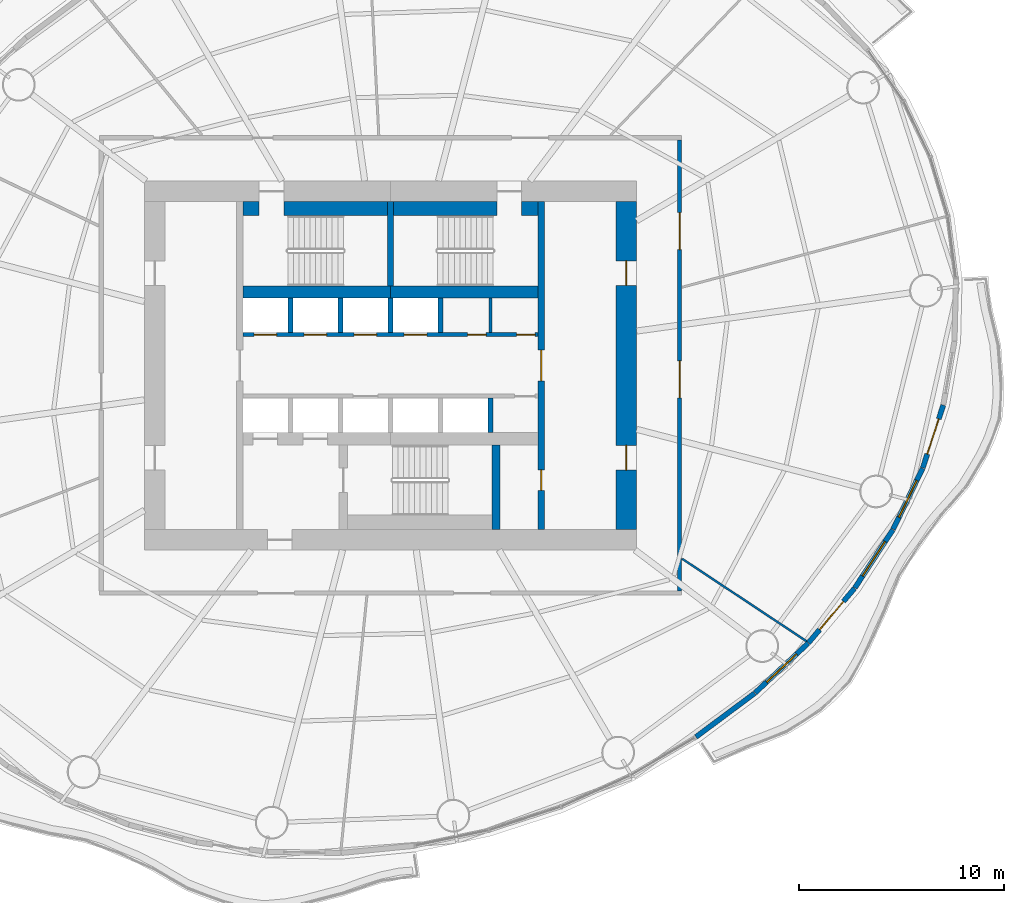
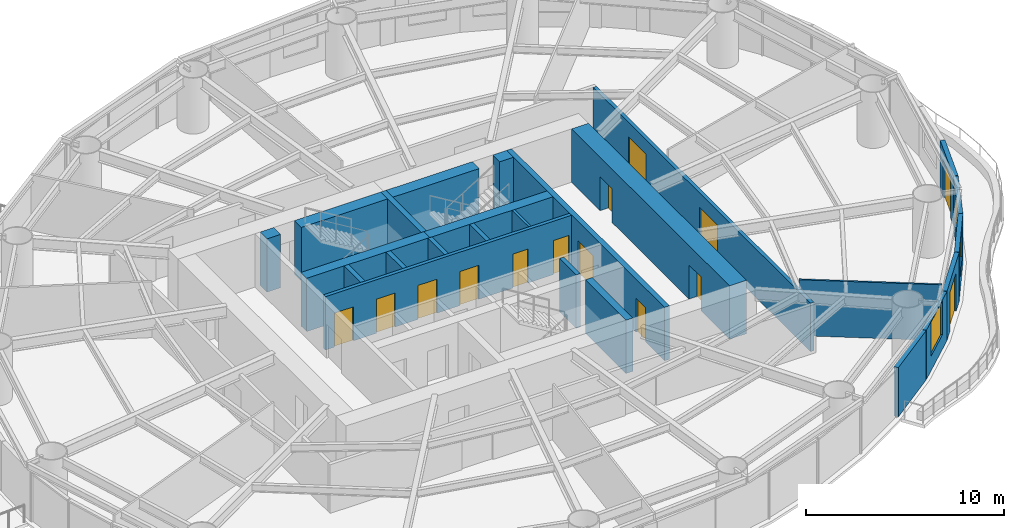
# One storey, part 9 of 14: 25 walls, 14 doors, 3 windows, 17 openings.
"""IFC4 building model written with IfcOpenShell, lengths in metres."""

from ifc_helpers import new_model, si_unit, direction, frame, frame_2d, origin, place, context, subcontext, project, spatial, rectangle, extrude, material, layer, layer_set, type_object, element, fill, save


model = new_model("IFC4")

# Units and contexts
model_context = context("Model", 3, precision=1e-05, world=origin(), true_north=direction((0.0, 1.0)))
body_context = subcontext(model_context, "Body", "Model", "MODEL_VIEW")
ifc_project = project(units=[si_unit("LENGTHUNIT", "METRE"), si_unit("AREAUNIT", "SQUARE_METRE"), si_unit("VOLUMEUNIT", "CUBIC_METRE"), si_unit("PLANEANGLEUNIT", "RADIAN"), si_unit("MASSUNIT", "GRAM", prefix="KILO")], contexts=[model_context])

# Site, building, storey
site_placement = place(None, origin())
site = spatial("IfcSite", under=ifc_project, at=site_placement, CompositionType="ELEMENT")
building_placement = place(site_placement, origin())
building = spatial("IfcBuilding", under=site, at=building_placement, Name="Vermilion Reach Broadcast Tower", CompositionType="ELEMENT")
storey_placement = place(building_placement, frame((0.0, 0.0, 117.39990234375)))
storey = spatial("IfcBuildingStorey", under=building, at=storey_placement, Name="L27", CompositionType="ELEMENT", Elevation=117.39990234375)

# Wall, openings, doors
ifc_material_1 = material(Name="Concrete C70", Category="concrete")
ifc_layer_1 = layer(ifc_material_1, 0.300048828125)
ifc_layer_set_1 = layer_set([ifc_layer_1], Name="Core inner wall 300 mm Concrete C70")
wall_type_1 = type_object("IfcWallType", Name="Core inner wall 300 mm Concrete C70", PredefinedType="SHEAR", material=ifc_layer_set_1)
wall_1_placement = place(storey_placement, frame((1.35009765625, -8.0, 0.0), z_axis=(0.0, 0.0, 1.0), x_axis=(0.0, 1.0, 0.0)))
wall_1 = element("IfcWall", 1, at=wall_1_placement, inside=storey, type_object=wall_type_1, Name="L27 core wall ewE", PredefinedType="SHEAR", context=body_context, shape_type="SweptSolid", body=[
    extrude(rectangle(XDim=16.0, YDim=0.300048828125, at=frame_2d((8.0, 0.0))), origin(), (0.0, 0.0, 1.0), 3.300048828125),
])
opening_1_placement = place(wall_1_placement, frame((1.909912109375, 0.0, 0.0)))
opening_1 = element("IfcOpeningElement", 2, at=opening_1_placement, cuts=wall_1, Name="Opening D05", PredefinedType="OPENING", context=body_context, shape_type="SweptSolid", body=[
    extrude(rectangle(XDim=1.0, YDim=2.10009765625, at=frame_2d((0.5, 1.050048828125))), frame((0.0, 0.159912109375, 0.0), z_axis=(0.0, -1.0, 0.0), x_axis=(1.0, 0.0, 0.0)), (0.0, 0.0, 1.0), 0.320068359375),
])
opening_2_placement = place(wall_1_placement, frame((7.25, 0.0, 0.0)))
opening_2 = element("IfcOpeningElement", 3, at=opening_2_placement, cuts=wall_1, Name="Opening D04", PredefinedType="OPENING", context=body_context, shape_type="SweptSolid", body=[
    extrude(rectangle(XDim=1.5, YDim=2.10009765625, at=frame_2d((0.75, 1.050048828125))), frame((0.0, 0.159912109375, 0.0), z_axis=(0.0, -1.0, 0.0), x_axis=(1.0, 0.0, 0.0)), (0.0, 0.0, 1.0), 0.320068359375),
])
ifc_material_2 = material(Name="Painted steel fire door", Category="steel")
door_type_1 = type_object("IfcDoorType", Name="Lift lobby door 1500 x 2100", OperationType="DOUBLE_DOOR_SINGLE_SWING", PredefinedType="NOTDEFINED", material=ifc_material_2)
door_1_placement = place(opening_2_placement, origin())
door_1 = element("IfcDoor", 4, at=door_1_placement, inside=storey, type_object=door_type_1, Name="L27 band door BE", OperationType="DOUBLE_DOOR_SINGLE_SWING", OverallHeight=2.10009765625, OverallWidth=1.5, PredefinedType="NOTDEFINED", context=body_context, shape_type="SweptSolid", body=[
    extrude(rectangle(XDim=1.5, YDim=2.10009765625, at=frame_2d((0.75, 1.050048828125))), frame((0.0, 0.02490234375, 0.0), z_axis=(0.0, -1.0, 0.0), x_axis=(1.0, 0.0, 0.0)), (0.0, 0.0, 1.0), 0.050048828125),
])
fill(opening_2, door_1)
ifc_material_3 = material(Name="Timber door", Category="wood")
door_type_2 = type_object("IfcDoorType", Name="Room door 1000 x 2100", OperationType="NOTDEFINED", PredefinedType="NOTDEFINED", material=ifc_material_3)
door_2_placement = place(opening_1_placement, origin())
door_2 = element("IfcDoor", 5, at=door_2_placement, inside=storey, type_object=door_type_2, Name="L27 door SER", OperationType="SINGLE_SWING_LEFT", OverallHeight=2.10009765625, OverallWidth=1.0, PredefinedType="NOTDEFINED", context=body_context, shape_type="SweptSolid", body=[
    extrude(rectangle(XDim=1.0, YDim=2.10009765625, at=frame_2d((0.5, 1.050048828125))), frame((0.0, 0.02490234375, 0.0), z_axis=(0.0, -1.0, 0.0), x_axis=(1.0, 0.0, 0.0)), (0.0, 0.0, 1.0), 0.050048828125),
])
fill(opening_1, door_2)

# Walls
wall_2_placement = place(storey_placement, frame((-6.0, 3.8798828125, 0.0), z_axis=(0.0, 0.0, 1.0), x_axis=(0.0, 1.0, 0.0)))
element("IfcWall", 6, at=wall_2_placement, inside=storey, type_object=wall_type_1, Name="L27 core wall wc", PredefinedType="SHEAR", context=body_context, shape_type="SweptSolid", body=[
    extrude(rectangle(XDim=4.1201171875, YDim=0.300048828125, at=frame_2d((2.06005859375, 0.0))), origin(), (0.0, 0.0, 1.0), 3.300048828125),
])
ifc_material_4 = material(Name="Concrete C70", Category="concrete")
ifc_layer_2 = layer(ifc_material_4, 0.39990234375)
ifc_layer_set_2 = layer_set([ifc_layer_2], Name="Core inner wall 400 mm Concrete C70")
wall_type_2 = type_object("IfcWallType", Name="Core inner wall 400 mm Concrete C70", PredefinedType="SHEAR", material=ifc_layer_set_2)
wall_3_placement = place(storey_placement, frame((-0.85009765625, -3.8798828125, 0.0), z_axis=(0.0, 0.0, 1.0), x_axis=(0.0, -1.0, 0.0)))
element("IfcWall", 7, at=wall_3_placement, inside=storey, type_object=wall_type_2, Name="L27 core wall wb", PredefinedType="SHEAR", context=body_context, shape_type="SweptSolid", body=[
    extrude(rectangle(XDim=4.1201171875, YDim=0.39990234375, at=frame_2d((2.06005859375, 0.0))), origin(), (0.0, 0.0, 1.0), 3.300048828125),
])
ifc_material_5 = material(Name="Concrete C70", Category="concrete")
ifc_layer_3 = layer(ifc_material_5, 0.60009765625)
ifc_layer_set_3 = layer_set([ifc_layer_3], Name="Core inner wall 600 mm Concrete C70")
wall_type_3 = type_object("IfcWallType", Name="Core inner wall 600 mm Concrete C70", PredefinedType="SHEAR", material=ifc_layer_set_3)
for number, where, z_axis, x_axis, name in (
    (8, (-13.199951171875, 3.580078125, 0.0), (0.0, 0.0, 1.0), (1.0, 0.0, 0.0), "L27 core wall winW"),
    (9, (-6.0, 3.580078125, 0.0), (0.0, 0.0, 1.0), (1.0, 0.0, 0.0), "L27 core wall winE"),
):
    element("IfcWall", number, at=place(storey_placement, frame(where, z_axis=z_axis, x_axis=x_axis)), inside=storey, type_object=wall_type_3, Name=name, PredefinedType="SHEAR", context=body_context, shape_type="SweptSolid", body=[
        extrude(rectangle(XDim=7.199951171875, YDim=0.60009765625, at=frame_2d((3.60009765625, 0.0))), origin(), (0.0, 0.0, 1.0), 3.300048828125),
    ])

# Wall, openings, doors
ifc_material_6 = material(Name="Concrete C70", Category="concrete")
ifc_layer_4 = layer(ifc_material_6, 1.0)
ifc_layer_set_4 = layer_set([ifc_layer_4], Name="Core outer wall 1000 mm Concrete C70")
wall_type_4 = type_object("IfcWallType", Name="Core outer wall 1000 mm Concrete C70", PredefinedType="SHEAR", material=ifc_layer_set_4)
wall_4_placement = place(storey_placement, frame((5.5, -8.0, 0.0), z_axis=(0.0, 0.0, 1.0), x_axis=(0.0, 1.0, 0.0)))
wall_4 = element("IfcWall", 10, at=wall_4_placement, inside=storey, type_object=wall_type_4, Name="L27 core wall oe", PredefinedType="SHEAR", context=body_context, shape_type="SweptSolid", body=[
    extrude(rectangle(XDim=16.0, YDim=1.0, at=frame_2d((8.0, 0.0))), origin(), (0.0, 0.0, 1.0), 3.300048828125),
])
opening_3_placement = place(wall_4_placement, frame((2.89990234375, 0.0, 0.0)))
opening_3 = element("IfcOpeningElement", 11, at=opening_3_placement, cuts=wall_4, Name="Opening D03", PredefinedType="OPENING", context=body_context, shape_type="SweptSolid", body=[
    extrude(rectangle(XDim=1.199951171875, YDim=2.10009765625, at=frame_2d((0.60009765625, 1.050048828125))), frame((0.0, 0.510009765625, 0.0), z_axis=(0.0, -1.0, 0.0), x_axis=(1.0, 0.0, 0.0)), (0.0, 0.0, 1.0), 1.02001953125),
])
opening_4_placement = place(wall_4_placement, frame((11.89990234375, 0.0, 0.0)))
opening_4 = element("IfcOpeningElement", 12, at=opening_4_placement, cuts=wall_4, Name="Opening D03", PredefinedType="OPENING", context=body_context, shape_type="SweptSolid", body=[
    extrude(rectangle(XDim=1.199951171875, YDim=2.10009765625, at=frame_2d((0.60009765625, 1.050048828125))), frame((0.0, 0.510009765625, 0.0), z_axis=(0.0, -1.0, 0.0), x_axis=(1.0, 0.0, 0.0)), (0.0, 0.0, 1.0), 1.02001953125),
])
ifc_material_7 = material(Name="Painted steel fire door", Category="steel")
door_type_3 = type_object("IfcDoorType", Name="Core lobby door 1200 x 2100", OperationType="DOUBLE_DOOR_SINGLE_SWING", PredefinedType="NOTDEFINED", material=ifc_material_7)
door_3_placement = place(opening_3_placement, origin())
door_3 = element("IfcDoor", 13, at=door_3_placement, inside=storey, type_object=door_type_3, Name="L27 slot door E0", OperationType="DOUBLE_DOOR_SINGLE_SWING", OverallHeight=2.10009765625, OverallWidth=1.199951171875, PredefinedType="NOTDEFINED", context=body_context, shape_type="SweptSolid", body=[
    extrude(rectangle(XDim=1.199951171875, YDim=2.10009765625, at=frame_2d((0.60009765625, 1.050048828125))), frame((0.0, 0.02490234375, 0.0), z_axis=(0.0, -1.0, 0.0), x_axis=(1.0, 0.0, 0.0)), (0.0, 0.0, 1.0), 0.050048828125),
])
fill(opening_3, door_3)
door_4_placement = place(opening_4_placement, origin())
door_4 = element("IfcDoor", 14, at=door_4_placement, inside=storey, type_object=door_type_3, Name="L27 slot door E1", OperationType="DOUBLE_DOOR_SINGLE_SWING", OverallHeight=2.10009765625, OverallWidth=1.199951171875, PredefinedType="NOTDEFINED", context=body_context, shape_type="SweptSolid", body=[
    extrude(rectangle(XDim=1.199951171875, YDim=2.10009765625, at=frame_2d((0.60009765625, 1.050048828125))), frame((0.0, 0.02490234375, 0.0), z_axis=(0.0, -1.0, 0.0), x_axis=(1.0, 0.0, 0.0)), (0.0, 0.0, 1.0), 0.050048828125),
])
fill(opening_4, door_4)

# Wall
ifc_material_8 = material(Name="Masonry block", Category="masonry")
ifc_layer_5 = layer(ifc_material_8, 0.14990234375)
ifc_layer_set_5 = layer_set([ifc_layer_5], Name="Core partition wall 150 mm Masonry block")
wall_type_5 = type_object("IfcWallType", Name="Core partition wall 150 mm Masonry block", PredefinedType="PARTITIONING", material=ifc_layer_set_5)
wall_5_placement = place(storey_placement, frame((-1.11669921875, 1.60009765625, 0.0), z_axis=(0.0, 0.0, 1.0), x_axis=(0.0, 1.0, 0.0)))
element("IfcWall", 15, at=wall_5_placement, inside=storey, type_object=wall_type_5, Name="L27 core wall prN4883", PredefinedType="PARTITIONING", context=body_context, shape_type="SweptSolid", body=[
    extrude(rectangle(XDim=1.679931640625, YDim=0.14990234375, at=frame_2d((0.83984375, 0.0))), origin(), (0.0, 0.0, 1.0), 3.300048828125),
])

# Wall, openings, doors
ifc_material_9 = material(Name="Concrete C50", Category="concrete")
ifc_layer_6 = layer(ifc_material_9, 0.199951171875)
ifc_layer_set_6 = layer_set([ifc_layer_6], Name="Core shaft wall 200 mm Concrete C50")
wall_type_6 = type_object("IfcWallType", Name="Core shaft wall 200 mm Concrete C50", PredefinedType="SHEAR", material=ifc_layer_set_6)
wall_6_placement = place(storey_placement, frame((-13.199951171875, 1.5, 0.0), z_axis=(0.0, 0.0, 1.0), x_axis=(1.0, 0.0, 0.0)))
wall_6 = element("IfcWall", 16, at=wall_6_placement, inside=storey, type_object=wall_type_6, Name="L27 core wall fn", PredefinedType="SHEAR", context=body_context, shape_type="SweptSolid", body=[
    extrude(rectangle(XDim=14.39990234375, YDim=0.199951171875, at=frame_2d((7.199951171875, 0.0))), origin(), (0.0, 0.0, 1.0), 3.300048828125),
])
opening_5_placement = place(wall_6_placement, frame((0.5458984375, 0.0, 0.0)))
opening_5 = element("IfcOpeningElement", 17, at=opening_5_placement, cuts=wall_6, Name="Opening LD2", PredefinedType="OPENING", context=body_context, shape_type="SweptSolid", body=[
    extrude(rectangle(XDim=1.10009765625, YDim=2.10009765625, at=frame_2d((0.550048828125, 1.050048828125))), frame((0.0, 0.10986328125, 0.0), z_axis=(0.0, -1.0, 0.0), x_axis=(1.0, 0.0, 0.0)), (0.0, 0.0, 1.0), 0.219970703125),
])
opening_6_placement = place(wall_6_placement, frame((2.987548828125, 0.0, 0.0)))
opening_6 = element("IfcOpeningElement", 18, at=opening_6_placement, cuts=wall_6, Name="Opening LD2", PredefinedType="OPENING", context=body_context, shape_type="SweptSolid", body=[
    extrude(rectangle(XDim=1.10009765625, YDim=2.10009765625, at=frame_2d((0.550048828125, 1.050048828125))), frame((0.0, 0.10986328125, 0.0), z_axis=(0.0, -1.0, 0.0), x_axis=(1.0, 0.0, 0.0)), (0.0, 0.0, 1.0), 0.219970703125),
])
opening_7_placement = place(wall_6_placement, frame((5.42919921875, 0.0, 0.0)))
opening_7 = element("IfcOpeningElement", 19, at=opening_7_placement, cuts=wall_6, Name="Opening LD2", PredefinedType="OPENING", context=body_context, shape_type="SweptSolid", body=[
    extrude(rectangle(XDim=1.10009765625, YDim=2.10009765625, at=frame_2d((0.550048828125, 1.050048828125))), frame((0.0, 0.10986328125, 0.0), z_axis=(0.0, -1.0, 0.0), x_axis=(1.0, 0.0, 0.0)), (0.0, 0.0, 1.0), 0.219970703125),
])
opening_8_placement = place(wall_6_placement, frame((7.870849609375, 0.0, 0.0)))
opening_8 = element("IfcOpeningElement", 20, at=opening_8_placement, cuts=wall_6, Name="Opening LD2", PredefinedType="OPENING", context=body_context, shape_type="SweptSolid", body=[
    extrude(rectangle(XDim=1.10009765625, YDim=2.10009765625, at=frame_2d((0.550048828125, 1.050048828125))), frame((0.0, 0.10986328125, 0.0), z_axis=(0.0, -1.0, 0.0), x_axis=(1.0, 0.0, 0.0)), (0.0, 0.0, 1.0), 0.219970703125),
])
opening_9_placement = place(wall_6_placement, frame((10.958251953125, 0.0, 0.0)))
opening_9 = element("IfcOpeningElement", 21, at=opening_9_placement, cuts=wall_6, Name="Opening D06", PredefinedType="OPENING", context=body_context, shape_type="SweptSolid", body=[
    extrude(rectangle(XDim=0.89990234375, YDim=2.10009765625, at=frame_2d((0.449951171875, 1.050048828125))), frame((0.0, 0.10986328125, 0.0), z_axis=(0.0, -1.0, 0.0), x_axis=(1.0, 0.0, 0.0)), (0.0, 0.0, 1.0), 0.219970703125),
])
opening_10_placement = place(wall_6_placement, frame((13.35009765625, 0.0, 0.0)))
opening_10 = element("IfcOpeningElement", 22, at=opening_10_placement, cuts=wall_6, Name="Opening D06", PredefinedType="OPENING", context=body_context, shape_type="SweptSolid", body=[
    extrude(rectangle(XDim=0.89990234375, YDim=2.10009765625, at=frame_2d((0.449951171875, 1.050048828125))), frame((0.0, 0.10986328125, 0.0), z_axis=(0.0, -1.0, 0.0), x_axis=(1.0, 0.0, 0.0)), (0.0, 0.0, 1.0), 0.219970703125),
])
ifc_material_10 = material(Name="Stainless steel", Category="steel")
door_type_4 = type_object("IfcDoorType", Name="Landing door 1100 x 2100", OperationType="DOUBLE_DOOR_SLIDING", PredefinedType="NOTDEFINED", material=ifc_material_10)
door_5_placement = place(opening_5_placement, origin())
door_5 = element("IfcDoor", 23, at=door_5_placement, inside=storey, type_object=door_type_4, Name="L27 landing door LR1", OperationType="DOUBLE_DOOR_SLIDING", OverallHeight=2.10009765625, OverallWidth=1.10009765625, PredefinedType="NOTDEFINED", context=body_context, shape_type="SweptSolid", body=[
    extrude(rectangle(XDim=1.10009765625, YDim=2.10009765625, at=frame_2d((0.550048828125, 1.050048828125))), frame((0.0, 0.02490234375, 0.0), z_axis=(0.0, -1.0, 0.0), x_axis=(1.0, 0.0, 0.0)), (0.0, 0.0, 1.0), 0.050048828125),
])
fill(opening_5, door_5)
door_6_placement = place(opening_6_placement, origin())
door_6 = element("IfcDoor", 24, at=door_6_placement, inside=storey, type_object=door_type_4, Name="L27 landing door LR2", OperationType="DOUBLE_DOOR_SLIDING", OverallHeight=2.10009765625, OverallWidth=1.10009765625, PredefinedType="NOTDEFINED", context=body_context, shape_type="SweptSolid", body=[
    extrude(rectangle(XDim=1.10009765625, YDim=2.10009765625, at=frame_2d((0.550048828125, 1.050048828125))), frame((0.0, 0.02490234375, 0.0), z_axis=(0.0, -1.0, 0.0), x_axis=(1.0, 0.0, 0.0)), (0.0, 0.0, 1.0), 0.050048828125),
])
fill(opening_6, door_6)
door_7_placement = place(opening_7_placement, origin())
door_7 = element("IfcDoor", 25, at=door_7_placement, inside=storey, type_object=door_type_4, Name="L27 landing door LR3", OperationType="DOUBLE_DOOR_SLIDING", OverallHeight=2.10009765625, OverallWidth=1.10009765625, PredefinedType="NOTDEFINED", context=body_context, shape_type="SweptSolid", body=[
    extrude(rectangle(XDim=1.10009765625, YDim=2.10009765625, at=frame_2d((0.550048828125, 1.050048828125))), frame((0.0, 0.02490234375, 0.0), z_axis=(0.0, -1.0, 0.0), x_axis=(1.0, 0.0, 0.0)), (0.0, 0.0, 1.0), 0.050048828125),
])
fill(opening_7, door_7)
door_8_placement = place(opening_8_placement, origin())
door_8 = element("IfcDoor", 26, at=door_8_placement, inside=storey, type_object=door_type_4, Name="L27 landing door LR4", OperationType="DOUBLE_DOOR_SLIDING", OverallHeight=2.10009765625, OverallWidth=1.10009765625, PredefinedType="NOTDEFINED", context=body_context, shape_type="SweptSolid", body=[
    extrude(rectangle(XDim=1.10009765625, YDim=2.10009765625, at=frame_2d((0.550048828125, 1.050048828125))), frame((0.0, 0.02490234375, 0.0), z_axis=(0.0, -1.0, 0.0), x_axis=(1.0, 0.0, 0.0)), (0.0, 0.0, 1.0), 0.050048828125),
])
fill(opening_8, door_8)
ifc_material_11 = material(Name="Timber door", Category="wood")
door_type_5 = type_object("IfcDoorType", Name="WC door 900 x 2100", OperationType="NOTDEFINED", PredefinedType="NOTDEFINED", material=ifc_material_11)
door_9_placement = place(opening_9_placement, origin())
door_9 = element("IfcDoor", 27, at=door_9_placement, inside=storey, type_object=door_type_5, Name="L27 door Female WC", OperationType="SINGLE_SWING_RIGHT", OverallHeight=2.10009765625, OverallWidth=0.89990234375, PredefinedType="NOTDEFINED", context=body_context, shape_type="SweptSolid", body=[
    extrude(rectangle(XDim=0.89990234375, YDim=2.10009765625, at=frame_2d((0.449951171875, 1.050048828125))), frame((0.0, 0.02490234375, 0.0), z_axis=(0.0, -1.0, 0.0), x_axis=(1.0, 0.0, 0.0)), (0.0, 0.0, 1.0), 0.050048828125),
])
fill(opening_9, door_9)
door_10_placement = place(opening_10_placement, origin())
door_10 = element("IfcDoor", 28, at=door_10_placement, inside=storey, type_object=door_type_5, Name="L27 door Male WC", OperationType="SINGLE_SWING_RIGHT", OverallHeight=2.10009765625, OverallWidth=0.89990234375, PredefinedType="NOTDEFINED", context=body_context, shape_type="SweptSolid", body=[
    extrude(rectangle(XDim=0.89990234375, YDim=2.10009765625, at=frame_2d((0.449951171875, 1.050048828125))), frame((0.0, 0.02490234375, 0.0), z_axis=(0.0, -1.0, 0.0), x_axis=(1.0, 0.0, 0.0)), (0.0, 0.0, 1.0), 0.050048828125),
])
fill(opening_10, door_10)

# Walls
ifc_material_12 = material(Name="Concrete C50", Category="concrete")
ifc_layer_7 = layer(ifc_material_12, 0.25)
ifc_layer_set_7 = layer_set([ifc_layer_7], Name="Core shaft wall 250 mm Concrete C50")
wall_type_7 = type_object("IfcWallType", Name="Core shaft wall 250 mm Concrete C50", PredefinedType="SHEAR", material=ifc_layer_set_7)
for number, where, z_axis, x_axis, name in (
    (29, (-10.88330078125, 1.60009765625, 0.0), (0.0, 0.0, 1.0), (0.0, 1.0, 0.0), "L27 core wall psN0"),
    (30, (-8.441650390625, 1.60009765625, 0.0), (0.0, 0.0, 1.0), (0.0, 1.0, 0.0), "L27 core wall psN1"),
    (31, (-6.0, 1.60009765625, 0.0), (0.0, 0.0, 1.0), (0.0, 1.0, 0.0), "L27 core wall psN2"),
    (32, (-3.558349609375, 1.60009765625, 0.0), (0.0, 0.0, 1.0), (0.0, 1.0, 0.0), "L27 core wall psN3"),
    (33, (-1.11669921875, -1.60009765625, 0.0), (0.0, 0.0, 1.0), (0.0, -1.0, 0.0), "L27 core wall psS4"),
):
    element("IfcWall", number, at=place(storey_placement, frame(where, z_axis=z_axis, x_axis=x_axis)), inside=storey, type_object=wall_type_7, Name=name, PredefinedType="SHEAR", context=body_context, shape_type="SweptSolid", body=[
        extrude(rectangle(XDim=1.679931640625, YDim=0.25, at=frame_2d((0.83984375, 0.0))), origin(), (0.0, 0.0, 1.0), 3.300048828125),
    ])
ifc_material_13 = material(Name="Concrete C70", Category="concrete")
ifc_layer_8 = layer(ifc_material_13, 0.699951171875)
ifc_layer_set_8 = layer_set([ifc_layer_8], Name="Core stair wall 700 mm Concrete C70")
wall_type_8 = type_object("IfcWallType", Name="Core stair wall 700 mm Concrete C70", PredefinedType="SHEAR", material=ifc_layer_set_8)
wall_7_placement = place(storey_placement, frame((-13.199951171875, 7.64990234375, 0.0), z_axis=(0.0, 0.0, 1.0), x_axis=(1.0, 0.0, 0.0)))
element("IfcWall", 34, at=wall_7_placement, inside=storey, type_object=wall_type_8, Name="L27 core wall l1a", PredefinedType="SHEAR", context=body_context, shape_type="SweptSolid", body=[
    extrude(rectangle(XDim=0.800048828125, YDim=0.699951171875, at=frame_2d((0.39990234375, 0.0))), origin(), (0.0, 0.0, 1.0), 3.300048828125),
])
for number, where, z_axis, x_axis, name in (
    (35, (-11.199951171875, 7.64990234375, 0.0), (0.0, 0.0, 1.0), (1.0, 0.0, 0.0), "L27 core wall l1b"),
    (36, (-5.85009765625, 7.64990234375, 0.0), (0.0, 0.0, 1.0), (1.0, 0.0, 0.0), "L27 core wall l2a"),
):
    element("IfcWall", number, at=place(storey_placement, frame(where, z_axis=z_axis, x_axis=x_axis)), inside=storey, type_object=wall_type_8, Name=name, PredefinedType="SHEAR", context=body_context, shape_type="SweptSolid", body=[
        extrude(rectangle(XDim=5.050048828125, YDim=0.699951171875, at=frame_2d((2.52490234375, 0.0))), origin(), (0.0, 0.0, 1.0), 3.300048828125),
    ])
wall_8_placement = place(storey_placement, frame((0.39990234375, 7.64990234375, 0.0), z_axis=(0.0, 0.0, 1.0), x_axis=(1.0, 0.0, 0.0)))
element("IfcWall", 37, at=wall_8_placement, inside=storey, type_object=wall_type_8, Name="L27 core wall l2b", PredefinedType="SHEAR", context=body_context, shape_type="SweptSolid", body=[
    extrude(rectangle(XDim=0.800048828125, YDim=0.699951171875, at=frame_2d((0.39990234375, 0.0))), origin(), (0.0, 0.0, 1.0), 3.300048828125),
])
ifc_material_14 = material(Name="Plasterboard on steel stud", Category="steel")
ifc_layer_9 = layer(ifc_material_14, 0.10009765625)
ifc_layer_set_9 = layer_set([ifc_layer_9], Name="Partition 100 steel stud")
wall_type_9 = type_object("IfcWallType", Name="Partition 100 steel stud", PredefinedType="PARTITIONING", material=ifc_layer_set_9)
wall_9_placement = place(storey_placement, frame((14.283447265625, -13.446533203125, 0.0), z_axis=(0.0, 0.0, 1.0), x_axis=(-0.833484611181, 0.552542670682, 0.0)))
element("IfcWall", 38, at=wall_9_placement, inside=storey, type_object=wall_type_9, Name="Partition 27.07", PredefinedType="PARTITIONING", context=body_context, shape_type="SweptSolid", body=[
    extrude(rectangle(XDim=7.265869140625, YDim=0.10009765625, at=frame_2d((3.6328125, 0.0))), origin(), (0.0, 0.0, 1.0), 3.4501953125),
])
ifc_material_15 = material(Name="Terracotta rainscreen cladding", Category="masonry")
ifc_layer_10 = layer(ifc_material_15, 0.25)
ifc_layer_set_10 = layer_set([ifc_layer_10], Name="Terracotta rainscreen wall 250")
wall_type_10 = type_object("IfcWallType", Name="Terracotta rainscreen wall 250", PredefinedType="SOLIDWALL", material=ifc_layer_set_10)
wall_10_placement = place(storey_placement, frame((8.895751953125, -18.112060546875, 0.0), z_axis=(0.0, 0.0, 1.0), x_axis=(0.802114267062, 0.597170580803, 0.0)))
element("IfcWall", 39, at=wall_10_placement, inside=storey, type_object=wall_type_10, Name="External wall L27 38", PredefinedType="SOLIDWALL", context=body_context, shape_type="SweptSolid", body=[
    extrude(rectangle(XDim=3.566650390625, YDim=0.25, at=frame_2d((1.783203125, 0.0))), origin(), (0.0, 0.0, 1.0), 3.050048828125),
])

# Wall, opening, window
wall_11_placement = place(storey_placement, frame((11.773681640625, -15.968017578125, 0.0), z_axis=(0.0, 0.0, 1.0), x_axis=(0.729895135737, 0.683559134843, 0.0)))
wall_11 = element("IfcWall", 40, at=wall_11_placement, inside=storey, type_object=wall_type_10, Name="External wall L27 39", PredefinedType="SOLIDWALL", context=body_context, shape_type="SweptSolid", body=[
    extrude(rectangle(XDim=3.55126953125, YDim=0.25, at=frame_2d((1.775634765625, 0.0))), origin(), (0.0, 0.0, 1.0), 3.050048828125),
])
opening_11_placement = place(wall_11_placement, frame((0.775634765625, 0.0, 0.89990234375)))
opening_11 = element("IfcOpeningElement", 41, at=opening_11_placement, cuts=wall_11, Name="Opening W03", PredefinedType="OPENING", context=body_context, shape_type="SweptSolid", body=[
    extrude(rectangle(XDim=2.0, YDim=2.10009765625, at=frame_2d((1.0, 1.050048828125))), frame((0.0, 0.135009765625, 0.0), z_axis=(0.0, -1.0, 0.0), x_axis=(1.0, 0.0, 0.0)), (0.0, 0.0, 1.0), 0.27001953125),
])
ifc_material_16 = material(Name="Low-e laminated clear glass in aluminium frame", Category="aluminium")
window_type = type_object("IfcWindowType", Name="Punched window 2000 x 2100 sill 900", PartitioningType="SINGLE_PANEL", PredefinedType="WINDOW", material=ifc_material_16)
window_1_placement = place(opening_11_placement, origin())
window_1 = element("IfcWindow", 42, at=window_1_placement, inside=storey, type_object=window_type, Name="Window L27 39", OverallHeight=2.10009765625, OverallWidth=2.0, PartitioningType="SINGLE_PANEL", PredefinedType="WINDOW", context=body_context, shape_type="SweptSolid", body=[
    extrude(rectangle(XDim=2.0, YDim=2.10009765625, at=frame_2d((1.0, 1.050048828125))), frame((0.0, 0.030029296875, 0.0), z_axis=(0.0, -1.0, 0.0), x_axis=(1.0, 0.0, 0.0)), (0.0, 0.0, 1.0), 0.06005859375),
])
fill(opening_11, window_1)

# Wall, opening, door
wall_12_placement = place(storey_placement, frame((14.38134765625, -13.52392578125, 0.0), z_axis=(0.0, 0.0, 1.0), x_axis=(0.645164421971, 0.764043760934, 0.0)))
wall_12 = element("IfcWall", 43, at=wall_12_placement, inside=storey, type_object=wall_type_10, Name="External wall L27 40", PredefinedType="SOLIDWALL", context=body_context, shape_type="SweptSolid", body=[
    extrude(rectangle(XDim=3.476806640625, YDim=0.25, at=frame_2d((1.73828125, 0.0))), origin(), (0.0, 0.0, 1.0), 3.050048828125),
])
opening_12_placement = place(wall_12_placement, frame((0.839111328125, 0.0, 0.0)))
opening_12 = element("IfcOpeningElement", 44, at=opening_12_placement, cuts=wall_12, Name="Opening D70", PredefinedType="OPENING", context=body_context, shape_type="SweptSolid", body=[
    extrude(rectangle(XDim=1.800048828125, YDim=2.39990234375, at=frame_2d((0.89990234375, 1.199951171875))), frame((0.0, 0.135009765625, 0.0), z_axis=(0.0, -1.0, 0.0), x_axis=(1.0, 0.0, 0.0)), (0.0, 0.0, 1.0), 0.27001953125),
])
ifc_material_17 = material(Name="Low-e laminated clear glass in aluminium frame", Category="aluminium")
door_type_6 = type_object("IfcDoorType", Name="Balcony sliding door 1800 x 2400", OperationType="DOUBLE_DOOR_SLIDING", PredefinedType="DOOR", material=ifc_material_17)
door_11_placement = place(opening_12_placement, origin())
door_11 = element("IfcDoor", 45, at=door_11_placement, inside=storey, type_object=door_type_6, Name="Balcony door L27 run 10", OperationType="DOUBLE_DOOR_SLIDING", OverallHeight=2.39990234375, OverallWidth=1.800048828125, PredefinedType="DOOR", context=body_context, shape_type="SweptSolid", body=[
    extrude(rectangle(XDim=1.800048828125, YDim=2.39990234375, at=frame_2d((0.89990234375, 1.199951171875))), frame((0.0, 0.02490234375, 0.0), z_axis=(0.0, -1.0, 0.0), x_axis=(1.0, 0.0, 0.0)), (0.0, 0.0, 1.0), 0.050048828125),
])
fill(opening_12, door_11)

# Wall, opening, window
wall_13_placement = place(storey_placement, frame((16.638427734375, -10.848876953125, 0.0), z_axis=(0.0, 0.0, 1.0), x_axis=(0.547270693195, 0.836955666908, 0.0)))
wall_13 = element("IfcWall", 46, at=wall_13_placement, inside=storey, type_object=wall_type_10, Name="External wall L27 41", PredefinedType="SOLIDWALL", context=body_context, shape_type="SweptSolid", body=[
    extrude(rectangle(XDim=3.39208984375, YDim=0.25, at=frame_2d((1.696044921875, 0.0))), origin(), (0.0, 0.0, 1.0), 3.050048828125),
])
opening_13_placement = place(wall_13_placement, frame((0.696044921875, 0.0, 0.89990234375)))
opening_13 = element("IfcOpeningElement", 47, at=opening_13_placement, cuts=wall_13, Name="Opening W03", PredefinedType="OPENING", context=body_context, shape_type="SweptSolid", body=[
    extrude(rectangle(XDim=2.0, YDim=2.10009765625, at=frame_2d((1.0, 1.050048828125))), frame((0.0, 0.135009765625, 0.0), z_axis=(0.0, -1.0, 0.0), x_axis=(1.0, 0.0, 0.0)), (0.0, 0.0, 1.0), 0.27001953125),
])
window_2_placement = place(opening_13_placement, origin())
window_2 = element("IfcWindow", 48, at=window_2_placement, inside=storey, type_object=window_type, Name="Window L27 41", OverallHeight=2.10009765625, OverallWidth=2.0, PartitioningType="SINGLE_PANEL", PredefinedType="WINDOW", context=body_context, shape_type="SweptSolid", body=[
    extrude(rectangle(XDim=2.0, YDim=2.10009765625, at=frame_2d((1.0, 1.050048828125))), frame((0.0, 0.030029296875, 0.0), z_axis=(0.0, -1.0, 0.0), x_axis=(1.0, 0.0, 0.0)), (0.0, 0.0, 1.0), 0.06005859375),
])
fill(opening_13, window_2)

wall_14_placement = place(storey_placement, frame((18.506591796875, -7.98876953125, 0.0), z_axis=(0.0, 0.0, 1.0), x_axis=(0.435582187372, 0.900148964363, 0.0)))
wall_14 = element("IfcWall", 49, at=wall_14_placement, inside=storey, type_object=wall_type_10, Name="External wall L27 42", PredefinedType="SOLIDWALL", context=body_context, shape_type="SweptSolid", body=[
    extrude(rectangle(XDim=3.3017578125, YDim=0.25, at=frame_2d((1.65087890625, 0.0))), origin(), (0.0, 0.0, 1.0), 3.050048828125),
])
opening_14_placement = place(wall_14_placement, frame((0.65087890625, 0.0, 0.89990234375)))
opening_14 = element("IfcOpeningElement", 50, at=opening_14_placement, cuts=wall_14, Name="Opening W03", PredefinedType="OPENING", context=body_context, shape_type="SweptSolid", body=[
    extrude(rectangle(XDim=2.0, YDim=2.10009765625, at=frame_2d((1.0, 1.050048828125))), frame((0.0, 0.135009765625, 0.0), z_axis=(0.0, -1.0, 0.0), x_axis=(1.0, 0.0, 0.0)), (0.0, 0.0, 1.0), 0.27001953125),
])
window_3_placement = place(opening_14_placement, origin())
window_3 = element("IfcWindow", 51, at=window_3_placement, inside=storey, type_object=window_type, Name="Window L27 42", OverallHeight=2.10009765625, OverallWidth=2.0, PartitioningType="SINGLE_PANEL", PredefinedType="WINDOW", context=body_context, shape_type="SweptSolid", body=[
    extrude(rectangle(XDim=2.0, YDim=2.10009765625, at=frame_2d((1.0, 1.050048828125))), frame((0.0, 0.030029296875, 0.0), z_axis=(0.0, -1.0, 0.0), x_axis=(1.0, 0.0, 0.0)), (0.0, 0.0, 1.0), 0.06005859375),
])
fill(opening_14, window_3)

# Wall, opening, door
wall_15_placement = place(storey_placement, frame((19.9541015625, -4.993408203125, 0.0), z_axis=(0.0, 0.0, 1.0), x_axis=(0.310270013997, 0.950648472578, 0.0)))
wall_15 = element("IfcWall", 52, at=wall_15_placement, inside=storey, type_object=wall_type_10, Name="External wall L27 43", PredefinedType="SOLIDWALL", context=body_context, shape_type="SweptSolid", body=[
    extrude(rectangle(XDim=3.2119140625, YDim=0.25, at=frame_2d((1.60595703125, 0.0))), origin(), (0.0, 0.0, 1.0), 3.050048828125),
])
opening_15_placement = place(wall_15_placement, frame((0.7060546875, 0.0, 0.0)))
opening_15 = element("IfcOpeningElement", 53, at=opening_15_placement, cuts=wall_15, Name="Opening D70", PredefinedType="OPENING", context=body_context, shape_type="SweptSolid", body=[
    extrude(rectangle(XDim=1.800048828125, YDim=2.39990234375, at=frame_2d((0.89990234375, 1.199951171875))), frame((0.0, 0.135009765625, 0.0), z_axis=(0.0, -1.0, 0.0), x_axis=(1.0, 0.0, 0.0)), (0.0, 0.0, 1.0), 0.27001953125),
])
door_12_placement = place(opening_15_placement, origin())
door_12 = element("IfcDoor", 54, at=door_12_placement, inside=storey, type_object=door_type_6, Name="Balcony door L27 run 11", OperationType="DOUBLE_DOOR_SLIDING", OverallHeight=2.39990234375, OverallWidth=1.800048828125, PredefinedType="DOOR", context=body_context, shape_type="SweptSolid", body=[
    extrude(rectangle(XDim=1.800048828125, YDim=2.39990234375, at=frame_2d((0.89990234375, 1.199951171875))), frame((0.0, 0.02490234375, 0.0), z_axis=(0.0, -1.0, 0.0), x_axis=(1.0, 0.0, 0.0)), (0.0, 0.0, 1.0), 0.050048828125),
])
fill(opening_15, door_12)

# Wall, openings, doors
ifc_material_18 = material(Name="Fire-rated gypsum board partition")
ifc_layer_11 = layer(ifc_material_18, 0.199951171875)
ifc_layer_set_11 = layer_set([ifc_layer_11], Name="Under girder: Corridor wall 200 fire-rated")
wall_type_11 = type_object("IfcWallType", Name="Under girder: Corridor wall 200 fire-rated", PredefinedType="PARTITIONING", material=ifc_layer_set_11)
wall_16_placement = place(storey_placement, frame((8.10009765625, 11.0, 0.0), z_axis=(0.0, 0.0, 1.0), x_axis=(0.0, -1.0, 0.0)))
wall_16 = element("IfcWall", 55, at=wall_16_placement, inside=storey, type_object=wall_type_11, Name="Corridor wall 27.E", PredefinedType="PARTITIONING", context=body_context, shape_type="SweptSolid", body=[
    extrude(rectangle(XDim=22.0, YDim=0.199951171875, at=frame_2d((11.0, 0.0))), origin(), (0.0, 0.0, 1.0), 3.0),
])
opening_16_placement = place(wall_16_placement, frame((10.779296875, 0.0, 0.0)))
opening_16 = element("IfcOpeningElement", 56, at=opening_16_placement, cuts=wall_16, Name="Opening D21", PredefinedType="OPENING", context=body_context, shape_type="SweptSolid", body=[
    extrude(rectangle(XDim=1.800048828125, YDim=2.10009765625, at=frame_2d((0.89990234375, 1.050048828125))), frame((0.0, 0.10986328125, 0.0), z_axis=(0.0, -1.0, 0.0), x_axis=(1.0, 0.0, 0.0)), (0.0, 0.0, 1.0), 0.219970703125),
])
opening_17_placement = place(wall_16_placement, frame((3.55517578125, 0.0, 0.0)))
opening_17 = element("IfcOpeningElement", 57, at=opening_17_placement, cuts=wall_16, Name="Opening D21", PredefinedType="OPENING", context=body_context, shape_type="SweptSolid", body=[
    extrude(rectangle(XDim=1.800048828125, YDim=2.10009765625, at=frame_2d((0.89990234375, 1.050048828125))), frame((0.0, 0.10986328125, 0.0), z_axis=(0.0, -1.0, 0.0), x_axis=(1.0, 0.0, 0.0)), (0.0, 0.0, 1.0), 0.219970703125),
])
ifc_material_19 = material(Name="Timber door leaf", Category="wood")
door_type_7 = type_object("IfcDoorType", Name="Door pair 1800x2100", OperationType="NOTDEFINED", PredefinedType="DOOR", material=ifc_material_19)
door_13_placement = place(opening_16_placement, origin())
door_13 = element("IfcDoor", 58, at=door_13_placement, inside=storey, type_object=door_type_7, Name="Door 27.07", OperationType="DOUBLE_DOOR_SINGLE_SWING", OverallHeight=2.10009765625, OverallWidth=1.800048828125, PredefinedType="DOOR", context=body_context, shape_type="SweptSolid", body=[
    extrude(rectangle(XDim=1.800048828125, YDim=2.10009765625, at=frame_2d((0.89990234375, 1.050048828125))), frame((0.0, 0.02490234375, 0.0), z_axis=(0.0, -1.0, 0.0), x_axis=(1.0, 0.0, 0.0)), (0.0, 0.0, 1.0), 0.050048828125),
])
fill(opening_16, door_13)
door_14_placement = place(opening_17_placement, origin())
door_14 = element("IfcDoor", 59, at=door_14_placement, inside=storey, type_object=door_type_7, Name="Door 27.08", OperationType="DOUBLE_DOOR_SINGLE_SWING", OverallHeight=2.10009765625, OverallWidth=1.800048828125, PredefinedType="DOOR", context=body_context, shape_type="SweptSolid", body=[
    extrude(rectangle(XDim=1.800048828125, YDim=2.10009765625, at=frame_2d((0.89990234375, 1.050048828125))), frame((0.0, 0.02490234375, 0.0), z_axis=(0.0, -1.0, 0.0), x_axis=(1.0, 0.0, 0.0)), (0.0, 0.0, 1.0), 0.050048828125),
])
fill(opening_17, door_14)

save(model, "model.ifc")
